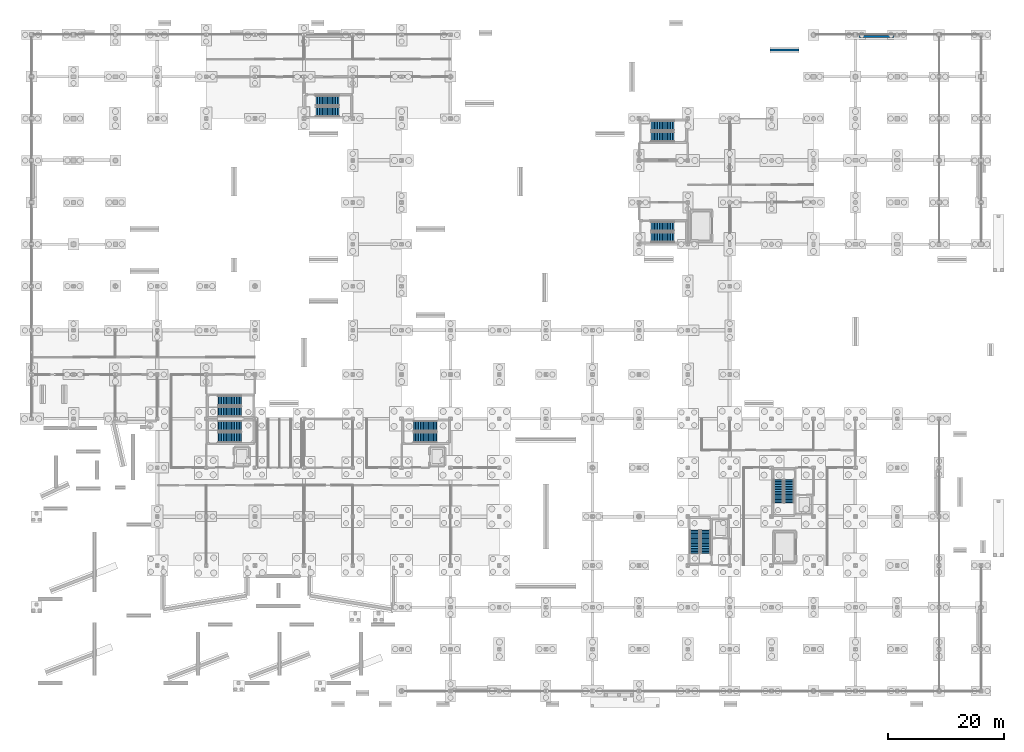
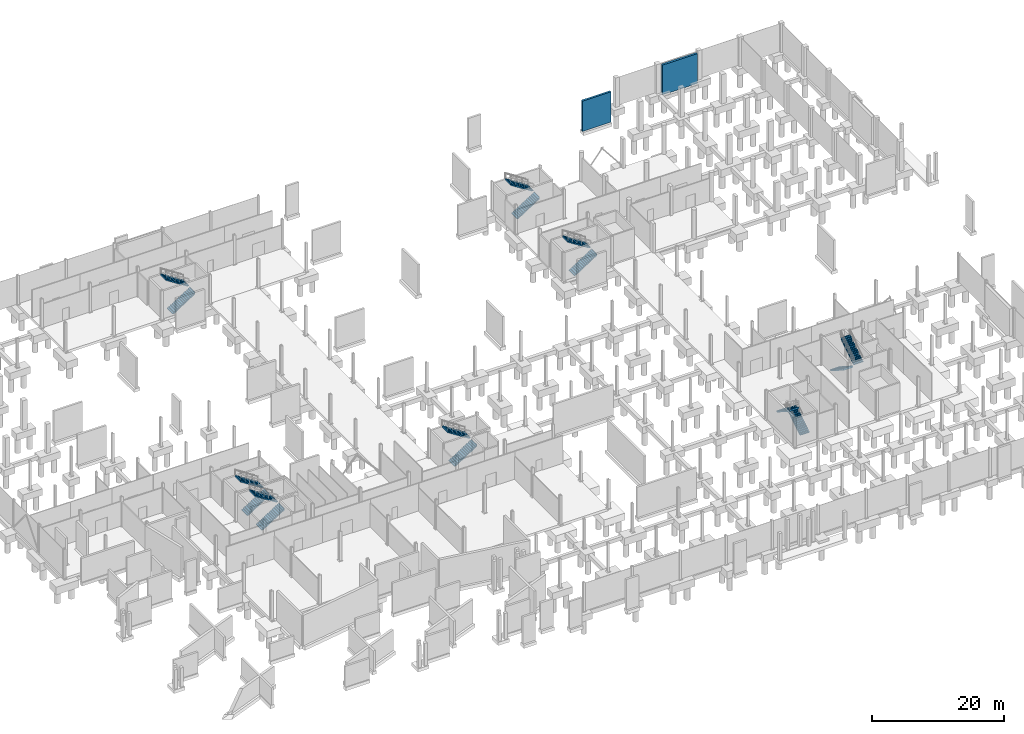
# One storey, part 50 of 61: 16 stair flights, 2 walls, 8 elements without a shape of their own.
"""IFC4 building model written with IfcOpenShell, lengths in metres."""

from ifc_helpers import new_model, si_unit, direction, frame, frame_2d, origin, place, context, subcontext, project, spatial, polyline, rectangle, outline, extrude, material, layer, layer_set, type_object, element, aggregate, save


model = new_model("IFC4")

# Units and contexts
model_context = context("Model", 3, precision=1e-05, world=origin(), true_north=direction((0.0, 1.0)))
body_context = subcontext(model_context, "Body", "Model", "MODEL_VIEW")
ifc_project = project(units=[si_unit("LENGTHUNIT", "METRE"), si_unit("AREAUNIT", "SQUARE_METRE"), si_unit("VOLUMEUNIT", "CUBIC_METRE"), si_unit("PLANEANGLEUNIT", "RADIAN"), si_unit("MASSUNIT", "GRAM", prefix="KILO")], contexts=[model_context])

# Site, building, storey
site_placement = place(None, origin())
site = spatial("IfcSite", under=ifc_project, at=site_placement, CompositionType="ELEMENT")
building_placement = place(site_placement, origin())
building = spatial("IfcBuilding", under=site, at=building_placement, Name="Calvrana Isthmian Art Gallery", CompositionType="ELEMENT")
storey_placement = place(building_placement, frame((0.0, 0.0, -5.39990234375)))
storey = spatial("IfcBuildingStorey", under=building, at=storey_placement, Name="B1", CompositionType="ELEMENT", Elevation=-5.39990234375)

# Walls
ifc_material = material(Name="Concrete C40/50", Category="concrete")
ifc_layer = layer(ifc_material, 0.35009765625, Name="Concrete C40/50")
ifc_layer_set = layer_set([ifc_layer], Name="Concrete C40/50")
wall_type = type_object("IfcWallType", Name="WL-RET-350", PredefinedType="USERDEFINED", material=ifc_layer_set)
wall_1_placement = place(storey_placement, frame((142.195068359375, 112.5, -0.4501953125), z_axis=(0.0, 0.0, 1.0), x_axis=(1.0, 0.0, 0.0)))
element("IfcWall", 1, at=wall_1_placement, inside=storey, type_object=wall_type, Name="Hillside plinth retaining wall RW_B1_NORTH_E", ObjectType="RETAINING WALL", PredefinedType="USERDEFINED", context=body_context, shape_type="SweptSolid", body=[
    extrude(rectangle(XDim=6.059814453125, YDim=0.35009765625, at=frame_2d((3.02978515625, 0.0))), origin(), (0.0, 0.0, 1.0), 5.5),
])
wall_2_placement = place(storey_placement, frame((126.89990234375, 110.199951171875, -0.4501953125), z_axis=(0.0, 0.0, 1.0), x_axis=(1.0, 0.0, 0.0)))
element("IfcWall", 2, at=wall_2_placement, inside=storey, type_object=wall_type, Name="Apron grade wall SLB_CYD_NE_N-B", ObjectType="RETAINING WALL", PredefinedType="USERDEFINED", context=body_context, shape_type="SweptSolid", body=[
    extrude(rectangle(XDim=5.0, YDim=0.35009765625, at=frame_2d((2.5, 0.0))), origin(), (0.0, 0.0, 1.0), 5.60009765625),
])

# Stair, stair flights
stair_type_1 = type_object("IfcStairType", Name="STR-HT-540", PredefinedType="HALF_TURN_STAIR", material=ifc_material)
stair_1_placement = place(storey_placement, origin())
stair_1 = element("IfcStair", 3, at=stair_1_placement, inside=storey, type_object=stair_type_1, Name="Protected exit stair ST-3 (B1)", PredefinedType="HALF_TURN_STAIR")
stair_flight_type_1 = type_object("IfcStairFlightType", Name="STF-1660", PredefinedType="STRAIGHT", material=ifc_material)
stair_flight_1_placement = place(storey_placement, frame((115.860107421875, 23.699951171875, 0.0), z_axis=(0.0, 0.0, 1.0), x_axis=(0.0, 1.0, 0.0)))
stair_flight_1 = element("IfcStairFlight", 4, at=stair_flight_1_placement, type_object=stair_flight_type_1, Name="ST-3 flight 1", NumberOfRisers=15, NumberOfTreads=14, PredefinedType="STRAIGHT", RiserHeight=0.18, TreadLength=0.28, context=body_context, shape_type="SweptSolid", body=[
    extrude(outline(polyline([(-0.02490234375, 0.0), (-0.02490234375, 0.06005859375), (0.0, 0.06005859375), (0.0, 0.179931640625), (0.280029296875, 0.179931640625), (0.280029296875, 0.360107421875), (0.56005859375, 0.360107421875), (0.56005859375, 0.5400390625), (0.840087890625, 0.5400390625), (0.840087890625, 0.719970703125), (1.1201171875, 0.719970703125), (1.1201171875, 0.89990234375), (1.39990234375, 0.89990234375), (1.39990234375, 1.080078125), (1.679931640625, 1.080078125), (1.679931640625, 1.260009765625), (1.9599609375, 1.260009765625), (1.9599609375, 1.43994140625), (2.239990234375, 1.43994140625), (2.239990234375, 1.6201171875), (2.52001953125, 1.6201171875), (2.52001953125, 1.800048828125), (2.800048828125, 1.800048828125), (2.800048828125, 1.97998046875), (3.080078125, 1.97998046875), (3.080078125, 2.159912109375), (3.360107421875, 2.159912109375), (3.360107421875, 2.340087890625), (3.639892578125, 2.340087890625), (3.639892578125, 2.52001953125), (3.919921875, 2.52001953125), (3.919921875, 2.699951171875), (3.945068359375, 2.699951171875), (3.945068359375, 2.341796875), (3.919921875, 2.341796875), (0.277099609375, 0.0), (-0.02490234375, 0.0)])), frame((0.0, 0.830078125, 0.0), z_axis=(0.0, -1.0, 0.0), x_axis=(1.0, 0.0, 0.0)), (0.0, 0.0, 1.0), 1.659912109375),
])
stair_flight_2_placement = place(storey_placement, frame((114.0, 27.6201171875, 2.699951171875), z_axis=(0.0, 0.0, 1.0), x_axis=(0.0, -1.0, 0.0)))
stair_flight_2 = element("IfcStairFlight", 5, at=stair_flight_2_placement, type_object=stair_flight_type_1, Name="ST-3 flight 2", NumberOfRisers=15, NumberOfTreads=14, PredefinedType="STRAIGHT", RiserHeight=0.18, TreadLength=0.28, context=body_context, shape_type="SweptSolid", body=[
    extrude(outline(polyline([(-0.02490234375, 0.0), (-0.02490234375, 0.06005859375), (0.0, 0.06005859375), (0.0, 0.179931640625), (0.280029296875, 0.179931640625), (0.280029296875, 0.360107421875), (0.56005859375, 0.360107421875), (0.56005859375, 0.5400390625), (0.840087890625, 0.5400390625), (0.840087890625, 0.719970703125), (1.1201171875, 0.719970703125), (1.1201171875, 0.89990234375), (1.39990234375, 0.89990234375), (1.39990234375, 1.080078125), (1.679931640625, 1.080078125), (1.679931640625, 1.260009765625), (1.9599609375, 1.260009765625), (1.9599609375, 1.43994140625), (2.239990234375, 1.43994140625), (2.239990234375, 1.6201171875), (2.52001953125, 1.6201171875), (2.52001953125, 1.800048828125), (2.800048828125, 1.800048828125), (2.800048828125, 1.97998046875), (3.080078125, 1.97998046875), (3.080078125, 2.159912109375), (3.360107421875, 2.159912109375), (3.360107421875, 2.340087890625), (3.639892578125, 2.340087890625), (3.639892578125, 2.52001953125), (3.919921875, 2.52001953125), (3.919921875, 2.699951171875), (3.945068359375, 2.699951171875), (3.945068359375, 2.341796875), (3.919921875, 2.341796875), (0.277099609375, 0.0), (-0.02490234375, 0.0)])), frame((0.0, 0.830078125, 0.0), z_axis=(0.0, -1.0, 0.0), x_axis=(1.0, 0.0, 0.0)), (0.0, 0.0, 1.0), 1.659912109375),
])
aggregate(stair_1, [stair_flight_1, stair_flight_2])

stair_2_placement = place(storey_placement, origin())
stair_2 = element("IfcStair", 6, at=stair_2_placement, inside=storey, type_object=stair_type_1, Name="Protected exit stair ST-4 (B1)", PredefinedType="HALF_TURN_STAIR")
stair_flight_3_placement = place(storey_placement, frame((128.3798828125, 36.300048828125, 0.0), z_axis=(0.0, 0.0, 1.0), x_axis=(0.0, -1.0, 0.0)))
stair_flight_3 = element("IfcStairFlight", 7, at=stair_flight_3_placement, type_object=stair_flight_type_1, Name="ST-4 flight 1", NumberOfRisers=15, NumberOfTreads=14, PredefinedType="STRAIGHT", RiserHeight=0.18, TreadLength=0.28, context=body_context, shape_type="SweptSolid", body=[
    extrude(outline(polyline([(-0.02490234375, 0.0), (-0.02490234375, 0.06005859375), (0.0, 0.06005859375), (0.0, 0.179931640625), (0.280029296875, 0.179931640625), (0.280029296875, 0.360107421875), (0.56005859375, 0.360107421875), (0.56005859375, 0.5400390625), (0.840087890625, 0.5400390625), (0.840087890625, 0.719970703125), (1.1201171875, 0.719970703125), (1.1201171875, 0.89990234375), (1.39990234375, 0.89990234375), (1.39990234375, 1.080078125), (1.679931640625, 1.080078125), (1.679931640625, 1.260009765625), (1.9599609375, 1.260009765625), (1.9599609375, 1.43994140625), (2.239990234375, 1.43994140625), (2.239990234375, 1.6201171875), (2.52001953125, 1.6201171875), (2.52001953125, 1.800048828125), (2.800048828125, 1.800048828125), (2.800048828125, 1.97998046875), (3.080078125, 1.97998046875), (3.080078125, 2.159912109375), (3.360107421875, 2.159912109375), (3.360107421875, 2.340087890625), (3.639892578125, 2.340087890625), (3.639892578125, 2.52001953125), (3.919921875, 2.52001953125), (3.919921875, 2.699951171875), (3.945068359375, 2.699951171875), (3.945068359375, 2.341796875), (3.919921875, 2.341796875), (0.277099609375, 0.0), (-0.02490234375, 0.0)])), frame((0.0, 0.830078125, 0.0), z_axis=(0.0, -1.0, 0.0), x_axis=(1.0, 0.0, 0.0)), (0.0, 0.0, 1.0), 1.659912109375),
])
stair_flight_4_placement = place(storey_placement, frame((130.239990234375, 32.3798828125, 2.699951171875), z_axis=(0.0, 0.0, 1.0), x_axis=(0.0, 1.0, 0.0)))
stair_flight_4 = element("IfcStairFlight", 8, at=stair_flight_4_placement, type_object=stair_flight_type_1, Name="ST-4 flight 2", NumberOfRisers=15, NumberOfTreads=14, PredefinedType="STRAIGHT", RiserHeight=0.18, TreadLength=0.28, context=body_context, shape_type="SweptSolid", body=[
    extrude(outline(polyline([(-0.02490234375, 0.0), (-0.02490234375, 0.06005859375), (0.0, 0.06005859375), (0.0, 0.179931640625), (0.280029296875, 0.179931640625), (0.280029296875, 0.360107421875), (0.56005859375, 0.360107421875), (0.56005859375, 0.5400390625), (0.840087890625, 0.5400390625), (0.840087890625, 0.719970703125), (1.1201171875, 0.719970703125), (1.1201171875, 0.89990234375), (1.39990234375, 0.89990234375), (1.39990234375, 1.080078125), (1.679931640625, 1.080078125), (1.679931640625, 1.260009765625), (1.9599609375, 1.260009765625), (1.9599609375, 1.43994140625), (2.239990234375, 1.43994140625), (2.239990234375, 1.6201171875), (2.52001953125, 1.6201171875), (2.52001953125, 1.800048828125), (2.800048828125, 1.800048828125), (2.800048828125, 1.97998046875), (3.080078125, 1.97998046875), (3.080078125, 2.159912109375), (3.360107421875, 2.159912109375), (3.360107421875, 2.340087890625), (3.639892578125, 2.340087890625), (3.639892578125, 2.52001953125), (3.919921875, 2.52001953125), (3.919921875, 2.699951171875), (3.945068359375, 2.699951171875), (3.945068359375, 2.341796875), (3.919921875, 2.341796875), (0.277099609375, 0.0), (-0.02490234375, 0.0)])), frame((0.0, 0.830078125, 0.0), z_axis=(0.0, -1.0, 0.0), x_axis=(1.0, 0.0, 0.0)), (0.0, 0.0, 1.0), 1.659912109375),
])
aggregate(stair_2, [stair_flight_3, stair_flight_4])

stair_3_placement = place(storey_placement, origin())
stair_3 = element("IfcStair", 9, at=stair_3_placement, inside=storey, type_object=stair_type_1, Name="Protected exit stair ST-5 (B1)", PredefinedType="HALF_TURN_STAIR")
stair_flight_5_placement = place(storey_placement, frame((106.5, 77.97998046875, 0.0), z_axis=(0.0, 0.0, 1.0), x_axis=(1.0, 0.0, 0.0)))
stair_flight_5 = element("IfcStairFlight", 10, at=stair_flight_5_placement, type_object=stair_flight_type_1, Name="ST-5 flight 1", NumberOfRisers=15, NumberOfTreads=14, PredefinedType="STRAIGHT", RiserHeight=0.18, TreadLength=0.28, context=body_context, shape_type="SweptSolid", body=[
    extrude(outline(polyline([(-0.02490234375, 0.0), (-0.02490234375, 0.06005859375), (0.0, 0.06005859375), (0.0, 0.179931640625), (0.280029296875, 0.179931640625), (0.280029296875, 0.360107421875), (0.56005859375, 0.360107421875), (0.56005859375, 0.5400390625), (0.840087890625, 0.5400390625), (0.840087890625, 0.719970703125), (1.1201171875, 0.719970703125), (1.1201171875, 0.89990234375), (1.39990234375, 0.89990234375), (1.39990234375, 1.080078125), (1.679931640625, 1.080078125), (1.679931640625, 1.260009765625), (1.9599609375, 1.260009765625), (1.9599609375, 1.43994140625), (2.239990234375, 1.43994140625), (2.239990234375, 1.6201171875), (2.52001953125, 1.6201171875), (2.52001953125, 1.800048828125), (2.800048828125, 1.800048828125), (2.800048828125, 1.97998046875), (3.080078125, 1.97998046875), (3.080078125, 2.159912109375), (3.360107421875, 2.159912109375), (3.360107421875, 2.340087890625), (3.639892578125, 2.340087890625), (3.639892578125, 2.52001953125), (3.919921875, 2.52001953125), (3.919921875, 2.699951171875), (3.945068359375, 2.699951171875), (3.945068359375, 2.341796875), (3.919921875, 2.341796875), (0.277099609375, 0.0), (-0.02490234375, 0.0)])), frame((0.0, 0.830078125, 0.0), z_axis=(0.0, -1.0, 0.0), x_axis=(1.0, 0.0, 0.0)), (0.0, 0.0, 1.0), 1.659912109375),
])
stair_flight_6_placement = place(storey_placement, frame((110.419921875, 79.840087890625, 2.699951171875), z_axis=(0.0, 0.0, 1.0), x_axis=(-1.0, 0.0, 0.0)))
stair_flight_6 = element("IfcStairFlight", 11, at=stair_flight_6_placement, type_object=stair_flight_type_1, Name="ST-5 flight 2", NumberOfRisers=15, NumberOfTreads=14, PredefinedType="STRAIGHT", RiserHeight=0.18, TreadLength=0.28, context=body_context, shape_type="SweptSolid", body=[
    extrude(outline(polyline([(-0.02490234375, 0.0), (-0.02490234375, 0.06005859375), (0.0, 0.06005859375), (0.0, 0.179931640625), (0.280029296875, 0.179931640625), (0.280029296875, 0.360107421875), (0.56005859375, 0.360107421875), (0.56005859375, 0.5400390625), (0.840087890625, 0.5400390625), (0.840087890625, 0.719970703125), (1.1201171875, 0.719970703125), (1.1201171875, 0.89990234375), (1.39990234375, 0.89990234375), (1.39990234375, 1.080078125), (1.679931640625, 1.080078125), (1.679931640625, 1.260009765625), (1.9599609375, 1.260009765625), (1.9599609375, 1.43994140625), (2.239990234375, 1.43994140625), (2.239990234375, 1.6201171875), (2.52001953125, 1.6201171875), (2.52001953125, 1.800048828125), (2.800048828125, 1.800048828125), (2.800048828125, 1.97998046875), (3.080078125, 1.97998046875), (3.080078125, 2.159912109375), (3.360107421875, 2.159912109375), (3.360107421875, 2.340087890625), (3.639892578125, 2.340087890625), (3.639892578125, 2.52001953125), (3.919921875, 2.52001953125), (3.919921875, 2.699951171875), (3.945068359375, 2.699951171875), (3.945068359375, 2.341796875), (3.919921875, 2.341796875), (0.277099609375, 0.0), (-0.02490234375, 0.0)])), frame((0.0, 0.830078125, 0.0), z_axis=(0.0, -1.0, 0.0), x_axis=(1.0, 0.0, 0.0)), (0.0, 0.0, 1.0), 1.659912109375),
])
aggregate(stair_3, [stair_flight_5, stair_flight_6])

stair_type_2 = type_object("IfcStairType", Name="STR-TSR-540", PredefinedType="TWO_STRAIGHT_RUN_STAIR", material=ifc_material)
stair_4_placement = place(storey_placement, origin())
stair_4 = element("IfcStair", 12, at=stair_4_placement, inside=storey, type_object=stair_type_2, Name="Protected exit stair ST-6 (B1)", PredefinedType="TWO_STRAIGHT_RUN_STAIR")
stair_flight_type_2 = type_object("IfcStairFlightType", Name="STF-1700", PredefinedType="STRAIGHT", material=ifc_material)
stair_flight_7_placement = place(storey_placement, frame((48.89990234375, 99.60009765625, 0.0), z_axis=(0.0, 0.0, 1.0), x_axis=(1.0, 0.0, 0.0)))
stair_flight_7 = element("IfcStairFlight", 13, at=stair_flight_7_placement, type_object=stair_flight_type_2, Name="ST-6 flight 1", NumberOfRisers=15, NumberOfTreads=14, PredefinedType="STRAIGHT", RiserHeight=0.18, TreadLength=0.28, context=body_context, shape_type="SweptSolid", body=[
    extrude(outline(polyline([(-0.02490234375, 0.0), (-0.02490234375, 0.06005859375), (0.0, 0.06005859375), (0.0, 0.179931640625), (0.280029296875, 0.179931640625), (0.280029296875, 0.360107421875), (0.56005859375, 0.360107421875), (0.56005859375, 0.5400390625), (0.840087890625, 0.5400390625), (0.840087890625, 0.719970703125), (1.1201171875, 0.719970703125), (1.1201171875, 0.89990234375), (1.39990234375, 0.89990234375), (1.39990234375, 1.080078125), (1.679931640625, 1.080078125), (1.679931640625, 1.260009765625), (1.9599609375, 1.260009765625), (1.9599609375, 1.43994140625), (2.239990234375, 1.43994140625), (2.239990234375, 1.6201171875), (2.52001953125, 1.6201171875), (2.52001953125, 1.800048828125), (2.800048828125, 1.800048828125), (2.800048828125, 1.97998046875), (3.080078125, 1.97998046875), (3.080078125, 2.159912109375), (3.360107421875, 2.159912109375), (3.360107421875, 2.340087890625), (3.639892578125, 2.340087890625), (3.639892578125, 2.52001953125), (3.919921875, 2.52001953125), (3.919921875, 2.699951171875), (3.945068359375, 2.699951171875), (3.945068359375, 2.341796875), (3.919921875, 2.341796875), (0.277099609375, 0.0), (-0.02490234375, 0.0)])), frame((0.0, 0.85009765625, 0.0), z_axis=(0.0, -1.0, 0.0), x_axis=(1.0, 0.0, 0.0)), (0.0, 0.0, 1.0), 1.699951171875),
])
stair_flight_8_placement = place(storey_placement, frame((52.820068359375, 101.5, 2.699951171875), z_axis=(0.0, 0.0, 1.0), x_axis=(-1.0, 0.0, 0.0)))
stair_flight_8 = element("IfcStairFlight", 14, at=stair_flight_8_placement, type_object=stair_flight_type_2, Name="ST-6 flight 2", NumberOfRisers=15, NumberOfTreads=14, PredefinedType="STRAIGHT", RiserHeight=0.18, TreadLength=0.28, context=body_context, shape_type="SweptSolid", body=[
    extrude(outline(polyline([(-0.02490234375, 0.0), (-0.02490234375, 0.06005859375), (0.0, 0.06005859375), (0.0, 0.179931640625), (0.280029296875, 0.179931640625), (0.280029296875, 0.360107421875), (0.56005859375, 0.360107421875), (0.56005859375, 0.5400390625), (0.840087890625, 0.5400390625), (0.840087890625, 0.719970703125), (1.1201171875, 0.719970703125), (1.1201171875, 0.89990234375), (1.39990234375, 0.89990234375), (1.39990234375, 1.080078125), (1.679931640625, 1.080078125), (1.679931640625, 1.260009765625), (1.9599609375, 1.260009765625), (1.9599609375, 1.43994140625), (2.239990234375, 1.43994140625), (2.239990234375, 1.6201171875), (2.52001953125, 1.6201171875), (2.52001953125, 1.800048828125), (2.800048828125, 1.800048828125), (2.800048828125, 1.97998046875), (3.080078125, 1.97998046875), (3.080078125, 2.159912109375), (3.360107421875, 2.159912109375), (3.360107421875, 2.340087890625), (3.639892578125, 2.340087890625), (3.639892578125, 2.52001953125), (3.919921875, 2.52001953125), (3.919921875, 2.699951171875), (3.945068359375, 2.699951171875), (3.945068359375, 2.341796875), (3.919921875, 2.341796875), (0.277099609375, 0.0), (-0.02490234375, 0.0)])), frame((0.0, 0.85009765625, 0.0), z_axis=(0.0, -1.0, 0.0), x_axis=(1.0, 0.0, 0.0)), (0.0, 0.0, 1.0), 1.699951171875),
])
aggregate(stair_4, [stair_flight_7, stair_flight_8])

stair_5_placement = place(storey_placement, origin())
stair_5 = element("IfcStair", 15, at=stair_5_placement, inside=storey, type_object=stair_type_2, Name="Protected exit stair ST-7 (B1)", PredefinedType="TWO_STRAIGHT_RUN_STAIR")
stair_flight_9_placement = place(storey_placement, frame((32.10009765625, 48.0, 0.0), z_axis=(0.0, 0.0, 1.0), x_axis=(1.0, 0.0, 0.0)))
stair_flight_9 = element("IfcStairFlight", 16, at=stair_flight_9_placement, type_object=stair_flight_type_2, Name="ST-7 flight 1", NumberOfRisers=15, NumberOfTreads=14, PredefinedType="STRAIGHT", RiserHeight=0.18, TreadLength=0.28, context=body_context, shape_type="SweptSolid", body=[
    extrude(outline(polyline([(-0.02490234375, 0.0), (-0.02490234375, 0.06005859375), (0.0, 0.06005859375), (0.0, 0.179931640625), (0.280029296875, 0.179931640625), (0.280029296875, 0.360107421875), (0.56005859375, 0.360107421875), (0.56005859375, 0.5400390625), (0.840087890625, 0.5400390625), (0.840087890625, 0.719970703125), (1.1201171875, 0.719970703125), (1.1201171875, 0.89990234375), (1.39990234375, 0.89990234375), (1.39990234375, 1.080078125), (1.679931640625, 1.080078125), (1.679931640625, 1.260009765625), (1.9599609375, 1.260009765625), (1.9599609375, 1.43994140625), (2.239990234375, 1.43994140625), (2.239990234375, 1.6201171875), (2.52001953125, 1.6201171875), (2.52001953125, 1.800048828125), (2.800048828125, 1.800048828125), (2.800048828125, 1.97998046875), (3.080078125, 1.97998046875), (3.080078125, 2.159912109375), (3.360107421875, 2.159912109375), (3.360107421875, 2.340087890625), (3.639892578125, 2.340087890625), (3.639892578125, 2.52001953125), (3.919921875, 2.52001953125), (3.919921875, 2.699951171875), (3.945068359375, 2.699951171875), (3.945068359375, 2.341796875), (3.919921875, 2.341796875), (0.277099609375, 0.0), (-0.02490234375, 0.0)])), frame((0.0, 0.85009765625, 0.0), z_axis=(0.0, -1.0, 0.0), x_axis=(1.0, 0.0, 0.0)), (0.0, 0.0, 1.0), 1.699951171875),
])
stair_flight_10_placement = place(storey_placement, frame((36.02001953125, 49.89990234375, 2.699951171875), z_axis=(0.0, 0.0, 1.0), x_axis=(-1.0, 0.0, 0.0)))
stair_flight_10 = element("IfcStairFlight", 17, at=stair_flight_10_placement, type_object=stair_flight_type_2, Name="ST-7 flight 2", NumberOfRisers=15, NumberOfTreads=14, PredefinedType="STRAIGHT", RiserHeight=0.18, TreadLength=0.28, context=body_context, shape_type="SweptSolid", body=[
    extrude(outline(polyline([(-0.02490234375, 0.0), (-0.02490234375, 0.06005859375), (0.0, 0.06005859375), (0.0, 0.179931640625), (0.280029296875, 0.179931640625), (0.280029296875, 0.360107421875), (0.56005859375, 0.360107421875), (0.56005859375, 0.5400390625), (0.840087890625, 0.5400390625), (0.840087890625, 0.719970703125), (1.1201171875, 0.719970703125), (1.1201171875, 0.89990234375), (1.39990234375, 0.89990234375), (1.39990234375, 1.080078125), (1.679931640625, 1.080078125), (1.679931640625, 1.260009765625), (1.9599609375, 1.260009765625), (1.9599609375, 1.43994140625), (2.239990234375, 1.43994140625), (2.239990234375, 1.6201171875), (2.52001953125, 1.6201171875), (2.52001953125, 1.800048828125), (2.800048828125, 1.800048828125), (2.800048828125, 1.97998046875), (3.080078125, 1.97998046875), (3.080078125, 2.159912109375), (3.360107421875, 2.159912109375), (3.360107421875, 2.340087890625), (3.639892578125, 2.340087890625), (3.639892578125, 2.52001953125), (3.919921875, 2.52001953125), (3.919921875, 2.699951171875), (3.945068359375, 2.699951171875), (3.945068359375, 2.341796875), (3.919921875, 2.341796875), (0.277099609375, 0.0), (-0.02490234375, 0.0)])), frame((0.0, 0.85009765625, 0.0), z_axis=(0.0, -1.0, 0.0), x_axis=(1.0, 0.0, 0.0)), (0.0, 0.0, 1.0), 1.699951171875),
])
aggregate(stair_5, [stair_flight_9, stair_flight_10])

stair_6_placement = place(storey_placement, origin())
stair_6 = element("IfcStair", 18, at=stair_6_placement, inside=storey, type_object=stair_type_2, Name="Protected exit stair ST-8 (B1)", PredefinedType="TWO_STRAIGHT_RUN_STAIR")
stair_flight_11_placement = place(storey_placement, frame((106.5, 95.280029296875, 0.0), z_axis=(0.0, 0.0, 1.0), x_axis=(1.0, 0.0, 0.0)))
stair_flight_11 = element("IfcStairFlight", 19, at=stair_flight_11_placement, type_object=stair_flight_type_2, Name="ST-8 flight 1", NumberOfRisers=15, NumberOfTreads=14, PredefinedType="STRAIGHT", RiserHeight=0.18, TreadLength=0.28, context=body_context, shape_type="SweptSolid", body=[
    extrude(outline(polyline([(-0.02490234375, 0.0), (-0.02490234375, 0.06005859375), (0.0, 0.06005859375), (0.0, 0.179931640625), (0.280029296875, 0.179931640625), (0.280029296875, 0.360107421875), (0.56005859375, 0.360107421875), (0.56005859375, 0.5400390625), (0.840087890625, 0.5400390625), (0.840087890625, 0.719970703125), (1.1201171875, 0.719970703125), (1.1201171875, 0.89990234375), (1.39990234375, 0.89990234375), (1.39990234375, 1.080078125), (1.679931640625, 1.080078125), (1.679931640625, 1.260009765625), (1.9599609375, 1.260009765625), (1.9599609375, 1.43994140625), (2.239990234375, 1.43994140625), (2.239990234375, 1.6201171875), (2.52001953125, 1.6201171875), (2.52001953125, 1.800048828125), (2.800048828125, 1.800048828125), (2.800048828125, 1.97998046875), (3.080078125, 1.97998046875), (3.080078125, 2.159912109375), (3.360107421875, 2.159912109375), (3.360107421875, 2.340087890625), (3.639892578125, 2.340087890625), (3.639892578125, 2.52001953125), (3.919921875, 2.52001953125), (3.919921875, 2.699951171875), (3.945068359375, 2.699951171875), (3.945068359375, 2.341796875), (3.919921875, 2.341796875), (0.277099609375, 0.0), (-0.02490234375, 0.0)])), frame((0.0, 0.85009765625, 0.0), z_axis=(0.0, -1.0, 0.0), x_axis=(1.0, 0.0, 0.0)), (0.0, 0.0, 1.0), 1.699951171875),
])
stair_flight_12_placement = place(storey_placement, frame((110.419921875, 97.179931640625, 2.699951171875), z_axis=(0.0, 0.0, 1.0), x_axis=(-1.0, 0.0, 0.0)))
stair_flight_12 = element("IfcStairFlight", 20, at=stair_flight_12_placement, type_object=stair_flight_type_2, Name="ST-8 flight 2", NumberOfRisers=15, NumberOfTreads=14, PredefinedType="STRAIGHT", RiserHeight=0.18, TreadLength=0.28, context=body_context, shape_type="SweptSolid", body=[
    extrude(outline(polyline([(-0.02490234375, 0.0), (-0.02490234375, 0.06005859375), (0.0, 0.06005859375), (0.0, 0.179931640625), (0.280029296875, 0.179931640625), (0.280029296875, 0.360107421875), (0.56005859375, 0.360107421875), (0.56005859375, 0.5400390625), (0.840087890625, 0.5400390625), (0.840087890625, 0.719970703125), (1.1201171875, 0.719970703125), (1.1201171875, 0.89990234375), (1.39990234375, 0.89990234375), (1.39990234375, 1.080078125), (1.679931640625, 1.080078125), (1.679931640625, 1.260009765625), (1.9599609375, 1.260009765625), (1.9599609375, 1.43994140625), (2.239990234375, 1.43994140625), (2.239990234375, 1.6201171875), (2.52001953125, 1.6201171875), (2.52001953125, 1.800048828125), (2.800048828125, 1.800048828125), (2.800048828125, 1.97998046875), (3.080078125, 1.97998046875), (3.080078125, 2.159912109375), (3.360107421875, 2.159912109375), (3.360107421875, 2.340087890625), (3.639892578125, 2.340087890625), (3.639892578125, 2.52001953125), (3.919921875, 2.52001953125), (3.919921875, 2.699951171875), (3.945068359375, 2.699951171875), (3.945068359375, 2.341796875), (3.919921875, 2.341796875), (0.277099609375, 0.0), (-0.02490234375, 0.0)])), frame((0.0, 0.85009765625, 0.0), z_axis=(0.0, -1.0, 0.0), x_axis=(1.0, 0.0, 0.0)), (0.0, 0.0, 1.0), 1.699951171875),
])
aggregate(stair_6, [stair_flight_11, stair_flight_12])

stair_type_3 = type_object("IfcStairType", Name="STR-HT-540W", PredefinedType="HALF_TURN_STAIR", material=ifc_material)
stair_7_placement = place(storey_placement, origin())
stair_7 = element("IfcStair", 21, at=stair_7_placement, inside=storey, type_object=stair_type_3, Name="Protected exit stair ST-1 (B1)", PredefinedType="HALF_TURN_STAIR")
stair_flight_type_3 = type_object("IfcStairFlightType", Name="STF-1760", PredefinedType="STRAIGHT", material=ifc_material)
stair_flight_13_placement = place(storey_placement, frame((32.10009765625, 43.590087890625, 0.0), z_axis=(0.0, 0.0, 1.0), x_axis=(1.0, 0.0, 0.0)))
stair_flight_13 = element("IfcStairFlight", 22, at=stair_flight_13_placement, type_object=stair_flight_type_3, Name="ST-1 flight 1", NumberOfRisers=15, NumberOfTreads=14, PredefinedType="STRAIGHT", RiserHeight=0.18, TreadLength=0.28, context=body_context, shape_type="SweptSolid", body=[
    extrude(outline(polyline([(-0.02490234375, 0.0), (-0.02490234375, 0.06005859375), (0.0, 0.06005859375), (0.0, 0.179931640625), (0.280029296875, 0.179931640625), (0.280029296875, 0.360107421875), (0.56005859375, 0.360107421875), (0.56005859375, 0.5400390625), (0.840087890625, 0.5400390625), (0.840087890625, 0.719970703125), (1.1201171875, 0.719970703125), (1.1201171875, 0.89990234375), (1.39990234375, 0.89990234375), (1.39990234375, 1.080078125), (1.679931640625, 1.080078125), (1.679931640625, 1.260009765625), (1.9599609375, 1.260009765625), (1.9599609375, 1.43994140625), (2.239990234375, 1.43994140625), (2.239990234375, 1.6201171875), (2.52001953125, 1.6201171875), (2.52001953125, 1.800048828125), (2.800048828125, 1.800048828125), (2.800048828125, 1.97998046875), (3.080078125, 1.97998046875), (3.080078125, 2.159912109375), (3.360107421875, 2.159912109375), (3.360107421875, 2.340087890625), (3.639892578125, 2.340087890625), (3.639892578125, 2.52001953125), (3.919921875, 2.52001953125), (3.919921875, 2.699951171875), (3.945068359375, 2.699951171875), (3.945068359375, 2.341796875), (3.919921875, 2.341796875), (0.277099609375, 0.0), (-0.02490234375, 0.0)])), frame((0.0, 0.8798828125, 0.0), z_axis=(0.0, -1.0, 0.0), x_axis=(1.0, 0.0, 0.0)), (0.0, 0.0, 1.0), 1.760009765625),
])
stair_flight_14_placement = place(storey_placement, frame((36.02001953125, 45.550048828125, 2.699951171875), z_axis=(0.0, 0.0, 1.0), x_axis=(-1.0, 0.0, 0.0)))
stair_flight_14 = element("IfcStairFlight", 23, at=stair_flight_14_placement, type_object=stair_flight_type_3, Name="ST-1 flight 2", NumberOfRisers=15, NumberOfTreads=14, PredefinedType="STRAIGHT", RiserHeight=0.18, TreadLength=0.28, context=body_context, shape_type="SweptSolid", body=[
    extrude(outline(polyline([(-0.02490234375, 0.0), (-0.02490234375, 0.06005859375), (0.0, 0.06005859375), (0.0, 0.179931640625), (0.280029296875, 0.179931640625), (0.280029296875, 0.360107421875), (0.56005859375, 0.360107421875), (0.56005859375, 0.5400390625), (0.840087890625, 0.5400390625), (0.840087890625, 0.719970703125), (1.1201171875, 0.719970703125), (1.1201171875, 0.89990234375), (1.39990234375, 0.89990234375), (1.39990234375, 1.080078125), (1.679931640625, 1.080078125), (1.679931640625, 1.260009765625), (1.9599609375, 1.260009765625), (1.9599609375, 1.43994140625), (2.239990234375, 1.43994140625), (2.239990234375, 1.6201171875), (2.52001953125, 1.6201171875), (2.52001953125, 1.800048828125), (2.800048828125, 1.800048828125), (2.800048828125, 1.97998046875), (3.080078125, 1.97998046875), (3.080078125, 2.159912109375), (3.360107421875, 2.159912109375), (3.360107421875, 2.340087890625), (3.639892578125, 2.340087890625), (3.639892578125, 2.52001953125), (3.919921875, 2.52001953125), (3.919921875, 2.699951171875), (3.945068359375, 2.699951171875), (3.945068359375, 2.341796875), (3.919921875, 2.341796875), (0.277099609375, 0.0), (-0.02490234375, 0.0)])), frame((0.0, 0.8798828125, 0.0), z_axis=(0.0, -1.0, 0.0), x_axis=(1.0, 0.0, 0.0)), (0.0, 0.0, 1.0), 1.760009765625),
])
aggregate(stair_7, [stair_flight_13, stair_flight_14])

stair_8_placement = place(storey_placement, origin())
stair_8 = element("IfcStair", 24, at=stair_8_placement, inside=storey, type_object=stair_type_3, Name="Protected exit stair ST-2 (B1)", PredefinedType="HALF_TURN_STAIR")
stair_flight_15_placement = place(storey_placement, frame((65.699951171875, 43.590087890625, 0.0), z_axis=(0.0, 0.0, 1.0), x_axis=(1.0, 0.0, 0.0)))
stair_flight_15 = element("IfcStairFlight", 25, at=stair_flight_15_placement, type_object=stair_flight_type_3, Name="ST-2 flight 1", NumberOfRisers=15, NumberOfTreads=14, PredefinedType="STRAIGHT", RiserHeight=0.18, TreadLength=0.28, context=body_context, shape_type="SweptSolid", body=[
    extrude(outline(polyline([(-0.02490234375, 0.0), (-0.02490234375, 0.06005859375), (0.0, 0.06005859375), (0.0, 0.179931640625), (0.280029296875, 0.179931640625), (0.280029296875, 0.360107421875), (0.56005859375, 0.360107421875), (0.56005859375, 0.5400390625), (0.840087890625, 0.5400390625), (0.840087890625, 0.719970703125), (1.1201171875, 0.719970703125), (1.1201171875, 0.89990234375), (1.39990234375, 0.89990234375), (1.39990234375, 1.080078125), (1.679931640625, 1.080078125), (1.679931640625, 1.260009765625), (1.9599609375, 1.260009765625), (1.9599609375, 1.43994140625), (2.239990234375, 1.43994140625), (2.239990234375, 1.6201171875), (2.52001953125, 1.6201171875), (2.52001953125, 1.800048828125), (2.800048828125, 1.800048828125), (2.800048828125, 1.97998046875), (3.080078125, 1.97998046875), (3.080078125, 2.159912109375), (3.360107421875, 2.159912109375), (3.360107421875, 2.340087890625), (3.639892578125, 2.340087890625), (3.639892578125, 2.52001953125), (3.919921875, 2.52001953125), (3.919921875, 2.699951171875), (3.945068359375, 2.699951171875), (3.945068359375, 2.341796875), (3.919921875, 2.341796875), (0.277099609375, 0.0), (-0.02490234375, 0.0)])), frame((0.0, 0.8798828125, 0.0), z_axis=(0.0, -1.0, 0.0), x_axis=(1.0, 0.0, 0.0)), (0.0, 0.0, 1.0), 1.760009765625),
])
stair_flight_16_placement = place(storey_placement, frame((69.6201171875, 45.550048828125, 2.699951171875), z_axis=(0.0, 0.0, 1.0), x_axis=(-1.0, 0.0, 0.0)))
stair_flight_16 = element("IfcStairFlight", 26, at=stair_flight_16_placement, type_object=stair_flight_type_3, Name="ST-2 flight 2", NumberOfRisers=15, NumberOfTreads=14, PredefinedType="STRAIGHT", RiserHeight=0.18, TreadLength=0.28, context=body_context, shape_type="SweptSolid", body=[
    extrude(outline(polyline([(-0.02490234375, 0.0), (-0.02490234375, 0.06005859375), (0.0, 0.06005859375), (0.0, 0.179931640625), (0.280029296875, 0.179931640625), (0.280029296875, 0.360107421875), (0.56005859375, 0.360107421875), (0.56005859375, 0.5400390625), (0.840087890625, 0.5400390625), (0.840087890625, 0.719970703125), (1.1201171875, 0.719970703125), (1.1201171875, 0.89990234375), (1.39990234375, 0.89990234375), (1.39990234375, 1.080078125), (1.679931640625, 1.080078125), (1.679931640625, 1.260009765625), (1.9599609375, 1.260009765625), (1.9599609375, 1.43994140625), (2.239990234375, 1.43994140625), (2.239990234375, 1.6201171875), (2.52001953125, 1.6201171875), (2.52001953125, 1.800048828125), (2.800048828125, 1.800048828125), (2.800048828125, 1.97998046875), (3.080078125, 1.97998046875), (3.080078125, 2.159912109375), (3.360107421875, 2.159912109375), (3.360107421875, 2.340087890625), (3.639892578125, 2.340087890625), (3.639892578125, 2.52001953125), (3.919921875, 2.52001953125), (3.919921875, 2.699951171875), (3.945068359375, 2.699951171875), (3.945068359375, 2.341796875), (3.919921875, 2.341796875), (0.277099609375, 0.0), (-0.02490234375, 0.0)])), frame((0.0, 0.8798828125, 0.0), z_axis=(0.0, -1.0, 0.0), x_axis=(1.0, 0.0, 0.0)), (0.0, 0.0, 1.0), 1.760009765625),
])
aggregate(stair_8, [stair_flight_15, stair_flight_16])

save(model, "model.ifc")
